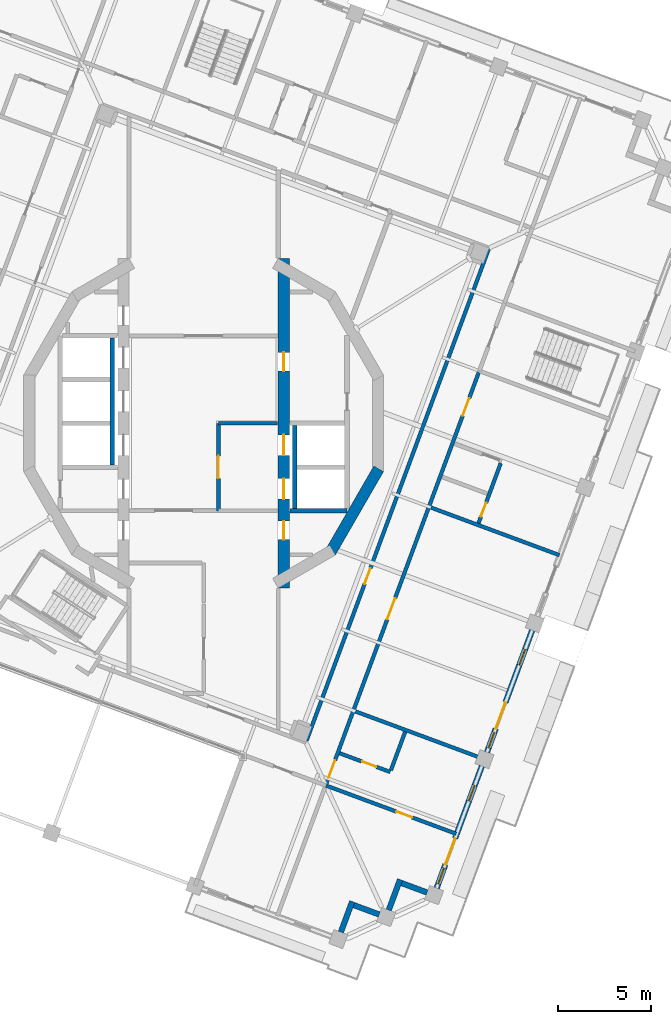
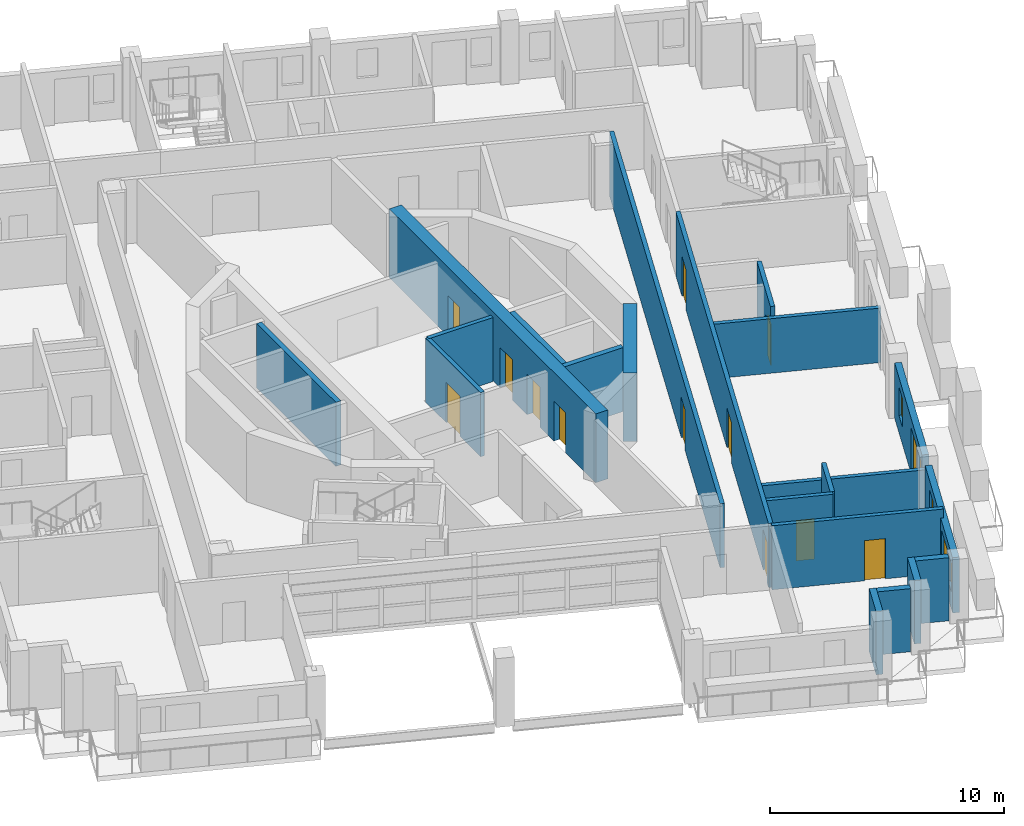
# One storey, part 7 of 19: 21 walls, 14 doors, 4 windows, 18 openings.
"""IFC4 building model written with IfcOpenShell, lengths in metres."""

from ifc_helpers import new_model, si_unit, direction, frame, frame_2d, origin, place, context, subcontext, project, spatial, rectangle, extrude, material, layer, layer_set, type_object, element, fill, save


model = new_model("IFC4")

# Units and contexts
model_context = context("Model", 3, precision=1e-05, world=origin(), true_north=direction((0.0, 1.0)))
body_context = subcontext(model_context, "Body", "Model", "MODEL_VIEW")
ifc_project = project(units=[si_unit("LENGTHUNIT", "METRE"), si_unit("AREAUNIT", "SQUARE_METRE"), si_unit("VOLUMEUNIT", "CUBIC_METRE"), si_unit("PLANEANGLEUNIT", "RADIAN"), si_unit("MASSUNIT", "GRAM", prefix="KILO")], contexts=[model_context])

# Site, building, storey
site_placement = place(None, origin())
site = spatial("IfcSite", under=ifc_project, at=site_placement, CompositionType="ELEMENT")
building_placement = place(site_placement, origin())
building = spatial("IfcBuilding", under=site, at=building_placement, Name="Cantera Rosa Tower", CompositionType="ELEMENT")
storey_placement = place(building_placement, frame((0.0, 0.0, 320.5)))
storey = spatial("IfcBuildingStorey", under=building, at=storey_placement, Name="L71", CompositionType="ELEMENT", Elevation=320.5)

# Wall, opening, door
ifc_material_1 = material(Name="Gypsum board partition")
ifc_layer_1 = layer(ifc_material_1, 0.199951171875)
ifc_layer_set_1 = layer_set([ifc_layer_1], Name="CORRIDOR WALL 200 H3350")
wall_type_1 = type_object("IfcWallType", Name="CORRIDOR WALL 200 H3350", PredefinedType="PARTITIONING", material=ifc_layer_set_1)
wall_1_placement = place(storey_placement, frame((5.526123046875, -17.031494140625, 0.0), z_axis=(0.0, 0.0, 1.0), x_axis=(0.347486069264, 0.937685145274, 0.0)))
wall_1 = element("IfcWall", 1, at=wall_1_placement, inside=storey, type_object=wall_type_1, Name="CORRIDOR WALL L71-075", PredefinedType="PARTITIONING", context=body_context, shape_type="SweptSolid", body=[
    extrude(rectangle(XDim=28.199951171875, YDim=0.199951171875, at=frame_2d((14.10009765625, 0.0))), origin(), (0.0, 0.0, 1.0), 3.35009765625),
])
opening_1_placement = place(wall_1_placement, frame((8.96240234375, 0.0, 0.0)))
opening_1 = element("IfcOpeningElement", 2, at=opening_1_placement, cuts=wall_1, Name="Opening L71-007", PredefinedType="OPENING", context=body_context, shape_type="SweptSolid", body=[
    extrude(rectangle(XDim=0.89990234375, YDim=2.10009765625, at=frame_2d((0.449951171875, 1.050048828125))), frame((0.0, 0.10986328125, 0.0), z_axis=(0.0, -1.0, 0.0), x_axis=(1.0, 0.0, 0.0)), (0.0, 0.0, 1.0), 0.219970703125),
])
ifc_material_2 = material(Name="Timber door leaf", Category="wood")
door_type_1 = type_object("IfcDoorType", Name="SERVICE DOOR 900x2100", OperationType="NOTDEFINED", PredefinedType="DOOR", material=ifc_material_2)
door_1_placement = place(opening_1_placement, origin())
door_1 = element("IfcDoor", 3, at=door_1_placement, inside=storey, type_object=door_type_1, Name="DOOR L71-007", OperationType="NOTDEFINED", OverallHeight=2.10009765625, OverallWidth=0.89990234375, PredefinedType="DOOR", context=body_context, shape_type="SweptSolid", body=[
    extrude(rectangle(XDim=0.89990234375, YDim=2.10009765625, at=frame_2d((0.449951171875, 1.050048828125))), frame((0.0, 0.02490234375, 0.0), z_axis=(0.0, -1.0, 0.0), x_axis=(1.0, 0.0, 0.0)), (0.0, 0.0, 1.0), 0.050048828125),
])
fill(opening_1, door_1)

# Wall, openings, doors
wall_2_placement = place(storey_placement, frame((6.588623046875, -19.3447265625, 0.0), z_axis=(0.0, 0.0, 1.0), x_axis=(0.347480582136, 0.937687178668, 0.0)))
wall_2 = element("IfcWall", 4, at=wall_2_placement, inside=storey, type_object=wall_type_1, Name="CORRIDOR WALL L71-080", PredefinedType="PARTITIONING", context=body_context, shape_type="SweptSolid", body=[
    extrude(rectangle(XDim=23.6298828125, YDim=0.199951171875, at=frame_2d((11.81494140625, 0.0))), origin(), (0.0, 0.0, 1.0), 3.35009765625),
])
opening_2_placement = place(wall_2_placement, frame((9.4150390625, 0.0, 0.0)))
opening_2 = element("IfcOpeningElement", 5, at=opening_2_placement, cuts=wall_2, Name="Opening L71-039", PredefinedType="OPENING", context=body_context, shape_type="SweptSolid", body=[
    extrude(rectangle(XDim=1.199951171875, YDim=2.10009765625, at=frame_2d((0.60009765625, 1.050048828125))), frame((0.0, 0.10986328125, 0.0), z_axis=(0.0, -1.0, 0.0), x_axis=(1.0, 0.0, 0.0)), (0.0, 0.0, 1.0), 0.219970703125),
])
opening_3_placement = place(wall_2_placement, frame((21.06494140625, 0.0, 0.0)))
opening_3 = element("IfcOpeningElement", 6, at=opening_3_placement, cuts=wall_2, Name="Opening L71-040", PredefinedType="OPENING", context=body_context, shape_type="SweptSolid", body=[
    extrude(rectangle(XDim=1.0, YDim=2.10009765625, at=frame_2d((0.5, 1.050048828125))), frame((0.0, 0.10986328125, 0.0), z_axis=(0.0, -1.0, 0.0), x_axis=(1.0, 0.0, 0.0)), (0.0, 0.0, 1.0), 0.219970703125),
])
opening_4_placement = place(wall_2_placement, frame((0.340087890625, 0.0, 0.0)))
opening_4 = element("IfcOpeningElement", 7, at=opening_4_placement, cuts=wall_2, Name="Opening L71-043", PredefinedType="OPENING", context=body_context, shape_type="SweptSolid", body=[
    extrude(rectangle(XDim=1.0, YDim=2.10009765625, at=frame_2d((0.5, 1.050048828125))), frame((0.0, 0.10986328125, 0.0), z_axis=(0.0, -1.0, 0.0), x_axis=(1.0, 0.0, 0.0)), (0.0, 0.0, 1.0), 0.219970703125),
])
ifc_material_3 = material(Name="Timber door leaf", Category="wood")
door_type_2 = type_object("IfcDoorType", Name="ENTRANCE DOOR 1000x2100", OperationType="NOTDEFINED", PredefinedType="DOOR", material=ifc_material_3)
door_2_placement = place(opening_3_placement, origin())
door_2 = element("IfcDoor", 8, at=door_2_placement, inside=storey, type_object=door_type_2, Name="DOOR L71-040", OperationType="NOTDEFINED", OverallHeight=2.10009765625, OverallWidth=1.0, PredefinedType="DOOR", context=body_context, shape_type="SweptSolid", body=[
    extrude(rectangle(XDim=1.0, YDim=2.10009765625, at=frame_2d((0.5, 1.050048828125))), frame((0.0, 0.02490234375, 0.0), z_axis=(0.0, -1.0, 0.0), x_axis=(1.0, 0.0, 0.0)), (0.0, 0.0, 1.0), 0.050048828125),
])
fill(opening_3, door_2)
door_3_placement = place(opening_4_placement, origin())
door_3 = element("IfcDoor", 9, at=door_3_placement, inside=storey, type_object=door_type_2, Name="DOOR L71-043", OperationType="NOTDEFINED", OverallHeight=2.10009765625, OverallWidth=1.0, PredefinedType="DOOR", context=body_context, shape_type="SweptSolid", body=[
    extrude(rectangle(XDim=1.0, YDim=2.10009765625, at=frame_2d((0.5, 1.050048828125))), frame((0.0, 0.02490234375, 0.0), z_axis=(0.0, -1.0, 0.0), x_axis=(1.0, 0.0, 0.0)), (0.0, 0.0, 1.0), 0.050048828125),
])
fill(opening_4, door_3)
ifc_material_4 = material(Name="Timber door leaf", Category="wood")
door_type_3 = type_object("IfcDoorType", Name="ROOM DOOR 1200x2100", OperationType="NOTDEFINED", PredefinedType="DOOR", material=ifc_material_4)
door_4_placement = place(opening_2_placement, origin())
door_4 = element("IfcDoor", 10, at=door_4_placement, inside=storey, type_object=door_type_3, Name="DOOR L71-039", OperationType="NOTDEFINED", OverallHeight=2.10009765625, OverallWidth=1.199951171875, PredefinedType="DOOR", context=body_context, shape_type="SweptSolid", body=[
    extrude(rectangle(XDim=1.199951171875, YDim=2.10009765625, at=frame_2d((0.60009765625, 1.050048828125))), frame((0.0, 0.02490234375, 0.0), z_axis=(0.0, -1.0, 0.0), x_axis=(1.0, 0.0, 0.0)), (0.0, 0.0, 1.0), 0.050048828125),
])
fill(opening_2, door_4)

# Walls
ifc_material_5 = material(Name="Hollow clay masonry with cantera stone cladding", Category="masonry")
ifc_layer_2 = layer(ifc_material_5, 0.300048828125)
ifc_layer_set_2 = layer_set([ifc_layer_2], Name="EW-LOGGIA 300")
wall_type_2 = type_object("IfcWallType", Name="EW-LOGGIA 300", PredefinedType="SOLIDWALL", material=ifc_layer_set_2)
wall_3_placement = place(storey_placement, frame((7.36865234375, -27.312255859375, 0.0), z_axis=(0.0, 0.0, 1.0), x_axis=(0.34752790836, 0.937669639538, 0.0)))
element("IfcWall", 11, at=wall_3_placement, inside=storey, type_object=wall_type_2, Name="EN-L71-W18a", PredefinedType="SOLIDWALL", context=body_context, shape_type="SweptSolid", body=[
    extrude(rectangle(XDim=1.75, YDim=0.300048828125, at=frame_2d((0.875, 0.0))), origin(), (0.0, 0.0, 1.0), 3.300048828125),
])
wall_4_placement = place(storey_placement, frame((8.065185546875, -25.8642578125, 0.0), z_axis=(0.0, 0.0, 1.0), x_axis=(0.937671557958, -0.347522732201, 0.0)))
element("IfcWall", 12, at=wall_4_placement, inside=storey, type_object=wall_type_2, Name="EN-L71-W18b", PredefinedType="SOLIDWALL", context=body_context, shape_type="SweptSolid", body=[
    extrude(rectangle(XDim=1.449951171875, YDim=0.300048828125, at=frame_2d((0.72509765625, 0.0))), origin(), (0.0, 0.0, 1.0), 3.300048828125),
])
wall_5_placement = place(storey_placement, frame((9.93896484375, -26.132080078125, 0.0), z_axis=(0.0, 0.0, 1.0), x_axis=(0.34748245117, 0.937686486054, 0.0)))
element("IfcWall", 13, at=wall_5_placement, inside=storey, type_object=wall_type_2, Name="EN-L71-W19a", PredefinedType="SOLIDWALL", context=body_context, shape_type="SweptSolid", body=[
    extrude(rectangle(XDim=1.750244140625, YDim=0.300048828125, at=frame_2d((0.875, 0.0))), origin(), (0.0, 0.0, 1.0), 3.300048828125),
])
wall_6_placement = place(storey_placement, frame((10.635498046875, -24.683837890625, 0.0), z_axis=(0.0, 0.0, 1.0), x_axis=(0.937671557958, -0.347522732201, 0.0)))
element("IfcWall", 14, at=wall_6_placement, inside=storey, type_object=wall_type_2, Name="EN-L71-W19b", PredefinedType="SOLIDWALL", context=body_context, shape_type="SweptSolid", body=[
    extrude(rectangle(XDim=1.449951171875, YDim=0.300048828125, at=frame_2d((0.72509765625, 0.0))), origin(), (0.0, 0.0, 1.0), 3.300048828125),
])

# Wall, openings, windows, door
ifc_material_6 = material(Name="Hollow clay masonry with cantera stone cladding", Category="masonry")
ifc_layer_3 = layer(ifc_material_6, 0.300048828125)
ifc_layer_set_3 = layer_set([ifc_layer_3], Name="EW-LOGGIA 300 H2890")
wall_type_3 = type_object("IfcWallType", Name="EW-LOGGIA 300 H2890", PredefinedType="SOLIDWALL", material=ifc_layer_set_3)
wall_7_placement = place(storey_placement, frame((12.50927734375, -24.95166015625, 0.0), z_axis=(0.0, 0.0, 1.0), x_axis=(0.347490919506, 0.937683347864, 0.0)))
wall_7 = element("IfcWall", 15, at=wall_7_placement, inside=storey, type_object=wall_type_3, Name="EN-L71-W20", PredefinedType="SOLIDWALL", context=body_context, shape_type="SweptSolid", body=[
    extrude(rectangle(XDim=6.980224609375, YDim=0.300048828125, at=frame_2d((3.490234375, 0.0))), origin(), (0.0, 0.0, 1.0), 2.889892578125),
])
opening_5_placement = place(wall_7_placement, frame((0.2451171875, 0.0, 0.89990234375)))
opening_5 = element("IfcOpeningElement", 16, at=opening_5_placement, cuts=wall_7, Name="Opening L71-W34", PredefinedType="OPENING", context=body_context, shape_type="SweptSolid", body=[
    extrude(rectangle(XDim=0.89990234375, YDim=1.5, at=frame_2d((0.449951171875, 0.75))), frame((0.0, 0.159912109375, 0.0), z_axis=(0.0, -1.0, 0.0), x_axis=(1.0, 0.0, 0.0)), (0.0, 0.0, 1.0), 0.320068359375),
])
opening_6_placement = place(wall_7_placement, frame((1.344970703125, 0.0, 0.0)))
opening_6 = element("IfcOpeningElement", 17, at=opening_6_placement, cuts=wall_7, Name="Opening L71-TD35", PredefinedType="OPENING", context=body_context, shape_type="SweptSolid", body=[
    extrude(rectangle(XDim=1.5, YDim=2.39990234375, at=frame_2d((0.75, 1.199951171875))), frame((0.0, 0.159912109375, 0.0), z_axis=(0.0, -1.0, 0.0), x_axis=(1.0, 0.0, 0.0)), (0.0, 0.0, 1.0), 0.320068359375),
])
opening_7_placement = place(wall_7_placement, frame((4.985107421875, 0.0, 0.89990234375)))
opening_7 = element("IfcOpeningElement", 18, at=opening_7_placement, cuts=wall_7, Name="Opening L71-W36", PredefinedType="OPENING", context=body_context, shape_type="SweptSolid", body=[
    extrude(rectangle(XDim=0.89990234375, YDim=1.5, at=frame_2d((0.449951171875, 0.75))), frame((0.0, 0.159912109375, 0.0), z_axis=(0.0, -1.0, 0.0), x_axis=(1.0, 0.0, 0.0)), (0.0, 0.0, 1.0), 0.320068359375),
])
ifc_material_7 = material(Name="Aluminium frame with clear glass", Category="aluminium")
window_type = type_object("IfcWindowType", Name="Residential window 900x1500", PartitioningType="SINGLE_PANEL", PredefinedType="WINDOW", material=ifc_material_7)
window_1_placement = place(opening_5_placement, origin())
window_1 = element("IfcWindow", 19, at=window_1_placement, inside=storey, type_object=window_type, Name="WINDOW L71-W34", OverallHeight=1.5, OverallWidth=0.89990234375, PartitioningType="SINGLE_PANEL", PredefinedType="WINDOW", context=body_context, shape_type="SweptSolid", body=[
    extrude(rectangle(XDim=0.89990234375, YDim=1.5, at=frame_2d((0.449951171875, 0.75))), frame((0.0, 0.030029296875, 0.0), z_axis=(0.0, -1.0, 0.0), x_axis=(1.0, 0.0, 0.0)), (0.0, 0.0, 1.0), 0.06005859375),
])
fill(opening_5, window_1)
window_2_placement = place(opening_7_placement, origin())
window_2 = element("IfcWindow", 20, at=window_2_placement, inside=storey, type_object=window_type, Name="WINDOW L71-W36", OverallHeight=1.5, OverallWidth=0.89990234375, PartitioningType="SINGLE_PANEL", PredefinedType="WINDOW", context=body_context, shape_type="SweptSolid", body=[
    extrude(rectangle(XDim=0.89990234375, YDim=1.5, at=frame_2d((0.449951171875, 0.75))), frame((0.0, 0.030029296875, 0.0), z_axis=(0.0, -1.0, 0.0), x_axis=(1.0, 0.0, 0.0)), (0.0, 0.0, 1.0), 0.06005859375),
])
fill(opening_7, window_2)
ifc_material_8 = material(Name="Aluminium frame with clear glass", Category="aluminium")
door_type_4 = type_object("IfcDoorType", Name="TD-R 1500x2400", OperationType="NOTDEFINED", PredefinedType="DOOR", material=ifc_material_8)
door_5_placement = place(opening_6_placement, origin())
door_5 = element("IfcDoor", 21, at=door_5_placement, inside=storey, type_object=door_type_4, Name="LOGGIA DOOR L71-TD35", OperationType="SLIDING_TO_LEFT", OverallHeight=2.39990234375, OverallWidth=1.5, PredefinedType="DOOR", context=body_context, shape_type="SweptSolid", body=[
    extrude(rectangle(XDim=1.5, YDim=2.39990234375, at=frame_2d((0.75, 1.199951171875))), frame((0.0, 0.02490234375, 0.0), z_axis=(0.0, -1.0, 0.0), x_axis=(1.0, 0.0, 0.0)), (0.0, 0.0, 1.0), 0.050048828125),
])
fill(opening_6, door_5)

wall_8_placement = place(storey_placement, frame((15.212646484375, -17.65625, 0.0), z_axis=(0.0, 0.0, 1.0), x_axis=(0.347502316452, 0.937679124253, 0.0)))
wall_8 = element("IfcWall", 22, at=wall_8_placement, inside=storey, type_object=wall_type_3, Name="EN-L71-W21", PredefinedType="SOLIDWALL", context=body_context, shape_type="SweptSolid", body=[
    extrude(rectangle(XDim=6.97998046875, YDim=0.300048828125, at=frame_2d((3.489990234375, 0.0))), origin(), (0.0, 0.0, 1.0), 2.889892578125),
])
opening_8_placement = place(wall_8_placement, frame((0.2451171875, 0.0, 0.89990234375)))
opening_8 = element("IfcOpeningElement", 23, at=opening_8_placement, cuts=wall_8, Name="Opening L71-W37", PredefinedType="OPENING", context=body_context, shape_type="SweptSolid", body=[
    extrude(rectangle(XDim=0.89990234375, YDim=1.5, at=frame_2d((0.449951171875, 0.75))), frame((0.0, 0.159912109375, 0.0), z_axis=(0.0, -1.0, 0.0), x_axis=(1.0, 0.0, 0.0)), (0.0, 0.0, 1.0), 0.320068359375),
])
opening_9_placement = place(wall_8_placement, frame((1.344970703125, 0.0, 0.0)))
opening_9 = element("IfcOpeningElement", 24, at=opening_9_placement, cuts=wall_8, Name="Opening L71-TD38", PredefinedType="OPENING", context=body_context, shape_type="SweptSolid", body=[
    extrude(rectangle(XDim=1.5, YDim=2.39990234375, at=frame_2d((0.75, 1.199951171875))), frame((0.0, 0.159912109375, 0.0), z_axis=(0.0, -1.0, 0.0), x_axis=(1.0, 0.0, 0.0)), (0.0, 0.0, 1.0), 0.320068359375),
])
opening_10_placement = place(wall_8_placement, frame((4.985107421875, 0.0, 0.89990234375)))
opening_10 = element("IfcOpeningElement", 25, at=opening_10_placement, cuts=wall_8, Name="Opening L71-W39", PredefinedType="OPENING", context=body_context, shape_type="SweptSolid", body=[
    extrude(rectangle(XDim=0.89990234375, YDim=1.5, at=frame_2d((0.449951171875, 0.75))), frame((0.0, 0.159912109375, 0.0), z_axis=(0.0, -1.0, 0.0), x_axis=(1.0, 0.0, 0.0)), (0.0, 0.0, 1.0), 0.320068359375),
])
window_3_placement = place(opening_8_placement, origin())
window_3 = element("IfcWindow", 26, at=window_3_placement, inside=storey, type_object=window_type, Name="WINDOW L71-W37", OverallHeight=1.5, OverallWidth=0.89990234375, PartitioningType="SINGLE_PANEL", PredefinedType="WINDOW", context=body_context, shape_type="SweptSolid", body=[
    extrude(rectangle(XDim=0.89990234375, YDim=1.5, at=frame_2d((0.449951171875, 0.75))), frame((0.0, 0.030029296875, 0.0), z_axis=(0.0, -1.0, 0.0), x_axis=(1.0, 0.0, 0.0)), (0.0, 0.0, 1.0), 0.06005859375),
])
fill(opening_8, window_3)
window_4_placement = place(opening_10_placement, origin())
window_4 = element("IfcWindow", 27, at=window_4_placement, inside=storey, type_object=window_type, Name="WINDOW L71-W39", OverallHeight=1.5, OverallWidth=0.89990234375, PartitioningType="SINGLE_PANEL", PredefinedType="WINDOW", context=body_context, shape_type="SweptSolid", body=[
    extrude(rectangle(XDim=0.89990234375, YDim=1.5, at=frame_2d((0.449951171875, 0.75))), frame((0.0, 0.030029296875, 0.0), z_axis=(0.0, -1.0, 0.0), x_axis=(1.0, 0.0, 0.0)), (0.0, 0.0, 1.0), 0.06005859375),
])
fill(opening_10, window_4)
door_6_placement = place(opening_9_placement, origin())
door_6 = element("IfcDoor", 28, at=door_6_placement, inside=storey, type_object=door_type_4, Name="LOGGIA DOOR L71-TD38", OperationType="SLIDING_TO_LEFT", OverallHeight=2.39990234375, OverallWidth=1.5, PredefinedType="DOOR", context=body_context, shape_type="SweptSolid", body=[
    extrude(rectangle(XDim=1.5, YDim=2.39990234375, at=frame_2d((0.75, 1.199951171875))), frame((0.0, 0.02490234375, 0.0), z_axis=(0.0, -1.0, 0.0), x_axis=(1.0, 0.0, 0.0)), (0.0, 0.0, 1.0), 0.050048828125),
])
fill(opening_9, door_6)

# Wall, opening, door
ifc_material_9 = material(Name="Gypsum board partition")
ifc_layer_4 = layer(ifc_material_9, 0.199951171875)
ifc_layer_set_4 = layer_set([ifc_layer_4], Name="PARTITION 200 H3350")
wall_type_4 = type_object("IfcWallType", Name="PARTITION 200 H3350", PredefinedType="PARTITIONING", material=ifc_layer_set_4)
wall_9_placement = place(storey_placement, frame((6.572509765625, -19.445556640625, 0.0), z_axis=(0.0, 0.0, 1.0), x_axis=(0.93769301125, -0.347464842325, 0.0)))
wall_9 = element("IfcWall", 29, at=wall_9_placement, inside=storey, type_object=wall_type_4, Name="PARTITION L71-079", PredefinedType="PARTITIONING", context=body_context, shape_type="SweptSolid", body=[
    extrude(rectangle(XDim=7.449951171875, YDim=0.199951171875, at=frame_2d((3.72509765625, 0.0))), origin(), (0.0, 0.0, 1.0), 3.35009765625),
])
opening_11_placement = place(wall_9_placement, frame((4.030029296875, 0.0, 0.0)))
opening_11 = element("IfcOpeningElement", 30, at=opening_11_placement, cuts=wall_9, Name="Opening L71-045", PredefinedType="OPENING", context=body_context, shape_type="SweptSolid", body=[
    extrude(rectangle(XDim=0.89990234375, YDim=2.10009765625, at=frame_2d((0.449951171875, 1.050048828125))), frame((0.0, 0.10986328125, 0.0), z_axis=(0.0, -1.0, 0.0), x_axis=(1.0, 0.0, 0.0)), (0.0, 0.0, 1.0), 0.219970703125),
])
ifc_material_10 = material(Name="Timber door leaf", Category="wood")
door_type_5 = type_object("IfcDoorType", Name="ROOM DOOR 900x2100", OperationType="NOTDEFINED", PredefinedType="DOOR", material=ifc_material_10)
door_7_placement = place(opening_11_placement, origin())
door_7 = element("IfcDoor", 31, at=door_7_placement, inside=storey, type_object=door_type_5, Name="DOOR L71-045", OperationType="NOTDEFINED", OverallHeight=2.10009765625, OverallWidth=0.89990234375, PredefinedType="DOOR", context=body_context, shape_type="SweptSolid", body=[
    extrude(rectangle(XDim=0.89990234375, YDim=2.10009765625, at=frame_2d((0.449951171875, 1.050048828125))), frame((0.0, 0.02490234375, 0.0), z_axis=(0.0, -1.0, 0.0), x_axis=(1.0, 0.0, 0.0)), (0.0, 0.0, 1.0), 0.050048828125),
])
fill(opening_11, door_7)

wall_10_placement = place(storey_placement, frame((10.020263671875, -18.71826171875, 0.0), z_axis=(0.0, 0.0, 1.0), x_axis=(-0.937681724156, 0.347495300953, 0.0)))
wall_10 = element("IfcWall", 32, at=wall_10_placement, inside=storey, type_object=wall_type_4, Name="PARTITION L71-086", PredefinedType="PARTITIONING", context=body_context, shape_type="SweptSolid", body=[
    extrude(rectangle(XDim=2.900146484375, YDim=0.199951171875, at=frame_2d((1.4501953125, 0.0))), origin(), (0.0, 0.0, 1.0), 3.35009765625),
])
opening_12_placement = place(wall_10_placement, frame((0.800048828125, 0.0, 0.0)))
opening_12 = element("IfcOpeningElement", 33, at=opening_12_placement, cuts=wall_10, Name="Opening L71-044", PredefinedType="OPENING", context=body_context, shape_type="SweptSolid", body=[
    extrude(rectangle(XDim=0.800048828125, YDim=2.10009765625, at=frame_2d((0.39990234375, 1.050048828125))), frame((0.0, 0.10986328125, 0.0), z_axis=(0.0, -1.0, 0.0), x_axis=(1.0, 0.0, 0.0)), (0.0, 0.0, 1.0), 0.219970703125),
])
ifc_material_11 = material(Name="Timber door leaf", Category="wood")
door_type_6 = type_object("IfcDoorType", Name="BATHROOM DOOR 800x2100", OperationType="NOTDEFINED", PredefinedType="DOOR", material=ifc_material_11)
door_8_placement = place(opening_12_placement, origin())
door_8 = element("IfcDoor", 34, at=door_8_placement, inside=storey, type_object=door_type_6, Name="DOOR L71-044", OperationType="NOTDEFINED", OverallHeight=2.10009765625, OverallWidth=0.800048828125, PredefinedType="DOOR", context=body_context, shape_type="SweptSolid", body=[
    extrude(rectangle(XDim=0.800048828125, YDim=2.10009765625, at=frame_2d((0.39990234375, 1.050048828125))), frame((0.0, 0.02490234375, 0.0), z_axis=(0.0, -1.0, 0.0), x_axis=(1.0, 0.0, 0.0)), (0.0, 0.0, 1.0), 0.050048828125),
])
fill(opening_12, door_8)

# Wall
wall_11_placement = place(storey_placement, frame((10.8193359375, -16.5615234375, 0.0), z_axis=(0.0, 0.0, 1.0), x_axis=(-0.347448078893, -0.937699222818, 0.0)))
element("IfcWall", 35, at=wall_11_placement, inside=storey, type_object=wall_type_4, Name="PARTITION L71-088", PredefinedType="PARTITIONING", context=body_context, shape_type="SweptSolid", body=[
    extrude(rectangle(XDim=2.199951171875, YDim=0.199951171875, at=frame_2d((1.10009765625, 0.0))), origin(), (0.0, 0.0, 1.0), 3.35009765625),
])

# Wall, opening, door
wall_12_placement = place(storey_placement, frame((15.9482421875, -2.1455078125, 0.0), z_axis=(0.0, 0.0, 1.0), x_axis=(-0.347485895919, -0.937685209512, 0.0)))
wall_12 = element("IfcWall", 36, at=wall_12_placement, inside=storey, type_object=wall_type_4, Name="PARTITION L71-098", PredefinedType="PARTITIONING", context=body_context, shape_type="SweptSolid", body=[
    extrude(rectangle(XDim=3.429931640625, YDim=0.199951171875, at=frame_2d((1.71484375, 0.0))), origin(), (0.0, 0.0, 1.0), 3.35009765625),
])
opening_13_placement = place(wall_12_placement, frame((2.2548828125, 0.0, 0.0)))
opening_13 = element("IfcOpeningElement", 37, at=opening_13_placement, cuts=wall_12, Name="Opening L71-041", PredefinedType="OPENING", context=body_context, shape_type="SweptSolid", body=[
    extrude(rectangle(XDim=0.800048828125, YDim=2.10009765625, at=frame_2d((0.39990234375, 1.050048828125))), frame((0.0, 0.10986328125, 0.0), z_axis=(0.0, -1.0, 0.0), x_axis=(1.0, 0.0, 0.0)), (0.0, 0.0, 1.0), 0.219970703125),
])
door_9_placement = place(opening_13_placement, origin())
door_9 = element("IfcDoor", 38, at=door_9_placement, inside=storey, type_object=door_type_6, Name="DOOR L71-041", OperationType="NOTDEFINED", OverallHeight=2.10009765625, OverallWidth=0.800048828125, PredefinedType="DOOR", context=body_context, shape_type="SweptSolid", body=[
    extrude(rectangle(XDim=0.800048828125, YDim=2.10009765625, at=frame_2d((0.39990234375, 1.050048828125))), frame((0.0, 0.02490234375, 0.0), z_axis=(0.0, -1.0, 0.0), x_axis=(1.0, 0.0, 0.0)), (0.0, 0.0, 1.0), 0.050048828125),
])
fill(opening_13, door_9)

# Walls
ifc_material_12 = material(Name="Gypsum board partition")
ifc_layer_5 = layer(ifc_material_12, 0.199951171875)
ifc_layer_set_5 = layer_set([ifc_layer_5], Name="PARTY WALL 200 H2450")
wall_type_5 = type_object("IfcWallType", Name="PARTY WALL 200 H2450", PredefinedType="PARTITIONING", material=ifc_layer_set_5)
wall_13_placement = place(storey_placement, frame((15.045654296875, -18.02099609375, 0.0), z_axis=(0.0, 0.0, 1.0), x_axis=(-0.937689847803, 0.347473379308, 0.0)))
element("IfcWall", 39, at=wall_13_placement, inside=storey, type_object=wall_type_5, Name="PARTY WALL L71-096", PredefinedType="PARTITIONING", context=body_context, shape_type="SweptSolid", body=[
    extrude(rectangle(XDim=7.35009765625, YDim=0.199951171875, at=frame_2d((3.675048828125, 0.0))), origin(), (0.0, 0.0, 1.0), 2.449951171875),
])
ifc_material_13 = material(Name="Gypsum board partition")
ifc_layer_6 = layer(ifc_material_13, 0.199951171875)
ifc_layer_set_6 = layer_set([ifc_layer_6], Name="PARTY WALL 200 H2850")
wall_type_6 = type_object("IfcWallType", Name="PARTY WALL 200 H2850", PredefinedType="PARTITIONING", material=ifc_layer_set_6)
wall_14_placement = place(storey_placement, frame((12.208740234375, -4.524169921875, 0.0), z_axis=(0.0, 0.0, 1.0), x_axis=(0.937685837181, -0.347484202159, 0.0)))
element("IfcWall", 40, at=wall_14_placement, inside=storey, type_object=wall_type_6, Name="PARTY WALL L71-090", PredefinedType="PARTITIONING", context=body_context, shape_type="SweptSolid", body=[
    extrude(rectangle(XDim=7.349853515625, YDim=0.199951171875, at=frame_2d((3.6748046875, 0.0))), origin(), (0.0, 0.0, 1.0), 2.85009765625),
])
ifc_material_14 = material(Name="Concrete C50/60", Category="concrete")
ifc_layer_7 = layer(ifc_material_14, 0.60009765625)
ifc_layer_set_7 = layer_set([ifc_layer_7], Name="RC CORE WALL 600 C50/60")
wall_type_7 = type_object("IfcWallType", Name="RC CORE WALL 600 C50/60", PredefinedType="SHEAR", material=ifc_layer_set_7)
wall_15_placement = place(storey_placement, frame((9.3994140625, -2.438232421875, 0.0), z_axis=(0.0, 0.0, 1.0), x_axis=(-0.499989188378, -0.866031645787, 0.0)))
element("IfcWall", 41, at=wall_15_placement, inside=storey, type_object=wall_type_7, Name="CW-E4 L71", PredefinedType="SHEAR", context=body_context, shape_type="SweptSolid", body=[
    extrude(rectangle(XDim=5.17626953125, YDim=0.60009765625, at=frame_2d((2.588134765625, 0.0))), origin(), (0.0, 0.0, 1.0), 3.60009765625),
])

# Wall, openings, doors
wall_16_placement = place(storey_placement, frame((4.300048828125, -8.84423828125, 0.0), z_axis=(0.0, 0.0, 1.0), x_axis=(0.0, 1.0, 0.0)))
wall_16 = element("IfcWall", 42, at=wall_16_placement, inside=storey, type_object=wall_type_7, Name="CW-E6 L71", PredefinedType="SHEAR", context=body_context, shape_type="SweptSolid", body=[
    extrude(rectangle(XDim=17.6884765625, YDim=0.60009765625, at=frame_2d((8.84423828125, 0.0))), origin(), (0.0, 0.0, 1.0), 3.60009765625),
])
opening_14_placement = place(wall_16_placement, frame((4.76904296875, 0.0, 0.0)))
opening_14 = element("IfcOpeningElement", 43, at=opening_14_placement, cuts=wall_16, Name="Opening LD-FF1-L71", PredefinedType="OPENING", context=body_context, shape_type="SweptSolid", body=[
    extrude(rectangle(XDim=1.10009765625, YDim=2.10009765625, at=frame_2d((0.550048828125, 1.050048828125))), frame((0.0, 0.31005859375, 0.0), z_axis=(0.0, -1.0, 0.0), x_axis=(1.0, 0.0, 0.0)), (0.0, 0.0, 1.0), 0.6201171875),
])
opening_15_placement = place(wall_16_placement, frame((7.119140625, 0.0, 0.0)))
opening_15 = element("IfcOpeningElement", 44, at=opening_15_placement, cuts=wall_16, Name="Opening LD-FF2-L71", PredefinedType="OPENING", context=body_context, shape_type="SweptSolid", body=[
    extrude(rectangle(XDim=1.10009765625, YDim=2.10009765625, at=frame_2d((0.550048828125, 1.050048828125))), frame((0.0, 0.31005859375, 0.0), z_axis=(0.0, -1.0, 0.0), x_axis=(1.0, 0.0, 0.0)), (0.0, 0.0, 1.0), 0.6201171875),
])
opening_16_placement = place(wall_16_placement, frame((2.5966796875, 0.0, 0.0)))
opening_16 = element("IfcOpeningElement", 45, at=opening_16_placement, cuts=wall_16, Name="Opening SD-L71-18", PredefinedType="OPENING", context=body_context, shape_type="SweptSolid", body=[
    extrude(rectangle(XDim=1.0, YDim=2.10009765625, at=frame_2d((0.5, 1.050048828125))), frame((0.0, 0.31005859375, 0.0), z_axis=(0.0, -1.0, 0.0), x_axis=(1.0, 0.0, 0.0)), (0.0, 0.0, 1.0), 0.6201171875),
])
opening_17_placement = place(wall_16_placement, frame((11.6494140625, 0.0, 0.0)))
opening_17 = element("IfcOpeningElement", 46, at=opening_17_placement, cuts=wall_16, Name="Opening SD-L71-19", PredefinedType="OPENING", context=body_context, shape_type="SweptSolid", body=[
    extrude(rectangle(XDim=1.0, YDim=2.10009765625, at=frame_2d((0.5, 1.050048828125))), frame((0.0, 0.31005859375, 0.0), z_axis=(0.0, -1.0, 0.0), x_axis=(1.0, 0.0, 0.0)), (0.0, 0.0, 1.0), 0.6201171875),
])
ifc_material_15 = material(Name="Steel S355J2 (EN 10025-2)", Category="steel")
door_type_7 = type_object("IfcDoorType", Name="LANDING DOOR 1100x2100", OperationType="NOTDEFINED", PredefinedType="DOOR", material=ifc_material_15)
door_10_placement = place(opening_14_placement, origin())
door_10 = element("IfcDoor", 47, at=door_10_placement, inside=storey, type_object=door_type_7, Name="LANDING DOOR FF1 L71", OperationType="SLIDING_TO_LEFT", OverallHeight=2.10009765625, OverallWidth=1.10009765625, PredefinedType="DOOR", context=body_context, shape_type="SweptSolid", body=[
    extrude(rectangle(XDim=1.10009765625, YDim=2.10009765625, at=frame_2d((0.550048828125, 1.050048828125))), frame((0.0, 0.02490234375, 0.0), z_axis=(0.0, -1.0, 0.0), x_axis=(1.0, 0.0, 0.0)), (0.0, 0.0, 1.0), 0.050048828125),
])
fill(opening_14, door_10)
door_11_placement = place(opening_15_placement, origin())
door_11 = element("IfcDoor", 48, at=door_11_placement, inside=storey, type_object=door_type_7, Name="LANDING DOOR FF2 L71", OperationType="SLIDING_TO_LEFT", OverallHeight=2.10009765625, OverallWidth=1.10009765625, PredefinedType="DOOR", context=body_context, shape_type="SweptSolid", body=[
    extrude(rectangle(XDim=1.10009765625, YDim=2.10009765625, at=frame_2d((0.550048828125, 1.050048828125))), frame((0.0, 0.02490234375, 0.0), z_axis=(0.0, -1.0, 0.0), x_axis=(1.0, 0.0, 0.0)), (0.0, 0.0, 1.0), 0.050048828125),
])
fill(opening_15, door_11)
ifc_material_16 = material(Name="Timber door leaf", Category="wood")
door_type_8 = type_object("IfcDoorType", Name="SERVICE DOOR 1000x2100", OperationType="NOTDEFINED", PredefinedType="DOOR", material=ifc_material_16)
door_12_placement = place(opening_16_placement, origin())
door_12 = element("IfcDoor", 49, at=door_12_placement, inside=storey, type_object=door_type_8, Name="DOOR L71-SD18", OperationType="NOTDEFINED", OverallHeight=2.10009765625, OverallWidth=1.0, PredefinedType="DOOR", context=body_context, shape_type="SweptSolid", body=[
    extrude(rectangle(XDim=1.0, YDim=2.10009765625, at=frame_2d((0.5, 1.050048828125))), frame((0.0, 0.02490234375, 0.0), z_axis=(0.0, -1.0, 0.0), x_axis=(1.0, 0.0, 0.0)), (0.0, 0.0, 1.0), 0.050048828125),
])
fill(opening_16, door_12)
door_13_placement = place(opening_17_placement, origin())
door_13 = element("IfcDoor", 50, at=door_13_placement, inside=storey, type_object=door_type_8, Name="DOOR L71-SD19", OperationType="NOTDEFINED", OverallHeight=2.10009765625, OverallWidth=1.0, PredefinedType="DOOR", context=body_context, shape_type="SweptSolid", body=[
    extrude(rectangle(XDim=1.0, YDim=2.10009765625, at=frame_2d((0.5, 1.050048828125))), frame((0.0, 0.02490234375, 0.0), z_axis=(0.0, -1.0, 0.0), x_axis=(1.0, 0.0, 0.0)), (0.0, 0.0, 1.0), 0.050048828125),
])
fill(opening_17, door_13)

# Walls
ifc_material_17 = material(Name="Masonry blockwork", Category="masonry")
ifc_layer_8 = layer(ifc_material_17, 0.25)
ifc_layer_set_8 = layer_set([ifc_layer_8], Name="SHAFT WALL 250 H3350")
wall_type_8 = type_object("IfcWallType", Name="SHAFT WALL 250 H3350", PredefinedType="SOLIDWALL", material=ifc_layer_set_8)
wall_17_placement = place(storey_placement, frame((-4.89990234375, -2.22509765625, 0.0), z_axis=(0.0, 0.0, 1.0), x_axis=(0.0, 1.0, 0.0)))
element("IfcWall", 51, at=wall_17_placement, inside=storey, type_object=wall_type_8, Name="SHAFT WALL L71-045", PredefinedType="SOLIDWALL", context=body_context, shape_type="SweptSolid", body=[
    extrude(rectangle(XDim=6.800048828125, YDim=0.25, at=frame_2d((3.39990234375, 0.0))), origin(), (0.0, 0.0, 1.0), 3.35009765625),
])
wall_18_placement = place(storey_placement, frame((4.89990234375, -0.125, 0.0), z_axis=(0.0, 0.0, 1.0), x_axis=(0.0, -1.0, 0.0)))
element("IfcWall", 52, at=wall_18_placement, inside=storey, type_object=wall_type_8, Name="SHAFT WALL L71-073", PredefinedType="SOLIDWALL", context=body_context, shape_type="SweptSolid", body=[
    extrude(rectangle(XDim=4.449951171875, YDim=0.25, at=frame_2d((2.22509765625, 0.0))), origin(), (0.0, 0.0, 1.0), 3.35009765625),
])
wall_19_placement = place(storey_placement, frame((7.699951171875, -4.699951171875, 0.0), z_axis=(0.0, 0.0, 1.0), x_axis=(-1.0, 0.0, 0.0)))
element("IfcWall", 53, at=wall_19_placement, inside=storey, type_object=wall_type_8, Name="SHAFT WALL L71-081", PredefinedType="SOLIDWALL", context=body_context, shape_type="SweptSolid", body=[
    extrude(rectangle(XDim=3.070068359375, YDim=0.25, at=frame_2d((1.53515625, 0.0))), origin(), (0.0, 0.0, 1.0), 3.35009765625),
])

# Wall, opening, door
ifc_material_18 = material(Name="Concrete C50/60", Category="concrete")
ifc_layer_9 = layer(ifc_material_18, 0.199951171875)
ifc_layer_set_9 = layer_set([ifc_layer_9], Name="STAIR WALL 200 H3350")
wall_type_9 = type_object("IfcWallType", Name="STAIR WALL 200 H3350", PredefinedType="SOLIDWALL", material=ifc_layer_set_9)
wall_20_placement = place(storey_placement, frame((0.800048828125, -4.699951171875, 0.0), z_axis=(0.0, 0.0, 1.0), x_axis=(0.0, 1.0, 0.0)))
wall_20 = element("IfcWall", 54, at=wall_20_placement, inside=storey, type_object=wall_type_9, Name="STAIR WALL L71-061", PredefinedType="SOLIDWALL", context=body_context, shape_type="SweptSolid", body=[
    extrude(rectangle(XDim=4.699951171875, YDim=0.199951171875, at=frame_2d((2.35009765625, 0.0))), origin(), (0.0, 0.0, 1.0), 3.35009765625),
])
opening_18_placement = place(wall_20_placement, frame((1.75, 0.0, 0.0)))
opening_18 = element("IfcOpeningElement", 55, at=opening_18_placement, cuts=wall_20, Name="Opening L71-013", PredefinedType="OPENING", context=body_context, shape_type="SweptSolid", body=[
    extrude(rectangle(XDim=1.199951171875, YDim=2.10009765625, at=frame_2d((0.60009765625, 1.050048828125))), frame((0.0, 0.10986328125, 0.0), z_axis=(0.0, -1.0, 0.0), x_axis=(1.0, 0.0, 0.0)), (0.0, 0.0, 1.0), 0.219970703125),
])
ifc_material_19 = material(Name="Steel S355J2 (EN 10025-2)", Category="steel")
door_type_9 = type_object("IfcDoorType", Name="FIRE DOOR 1200x2100", OperationType="NOTDEFINED", PredefinedType="DOOR", material=ifc_material_19)
door_14_placement = place(opening_18_placement, origin())
door_14 = element("IfcDoor", 56, at=door_14_placement, inside=storey, type_object=door_type_9, Name="DOOR L71-013", OperationType="NOTDEFINED", OverallHeight=2.10009765625, OverallWidth=1.199951171875, PredefinedType="DOOR", context=body_context, shape_type="SweptSolid", body=[
    extrude(rectangle(XDim=1.199951171875, YDim=2.10009765625, at=frame_2d((0.60009765625, 1.050048828125))), frame((0.0, 0.02490234375, 0.0), z_axis=(0.0, -1.0, 0.0), x_axis=(1.0, 0.0, 0.0)), (0.0, 0.0, 1.0), 0.050048828125),
])
fill(opening_18, door_14)

# Wall
wall_21_placement = place(storey_placement, frame((0.800048828125, 0.0, 0.0), z_axis=(0.0, 0.0, 1.0), x_axis=(1.0, 0.0, 0.0)))
element("IfcWall", 57, at=wall_21_placement, inside=storey, type_object=wall_type_9, Name="STAIR WALL L71-062", PredefinedType="SOLIDWALL", context=body_context, shape_type="SweptSolid", body=[
    extrude(rectangle(XDim=3.169921875, YDim=0.199951171875, at=frame_2d((1.5849609375, 0.0))), origin(), (0.0, 0.0, 1.0), 3.35009765625),
])

save(model, "model.ifc")
